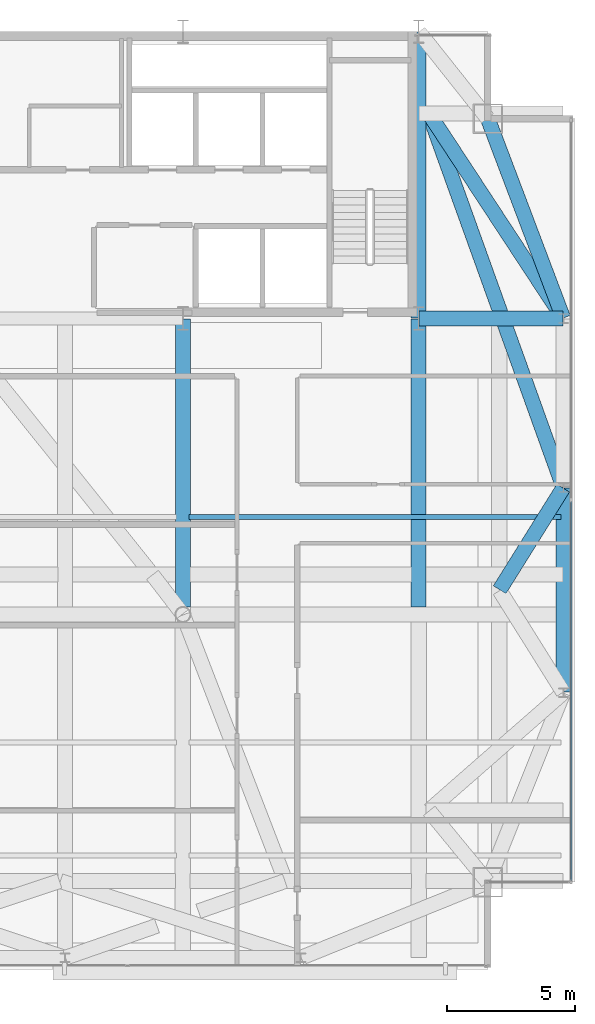
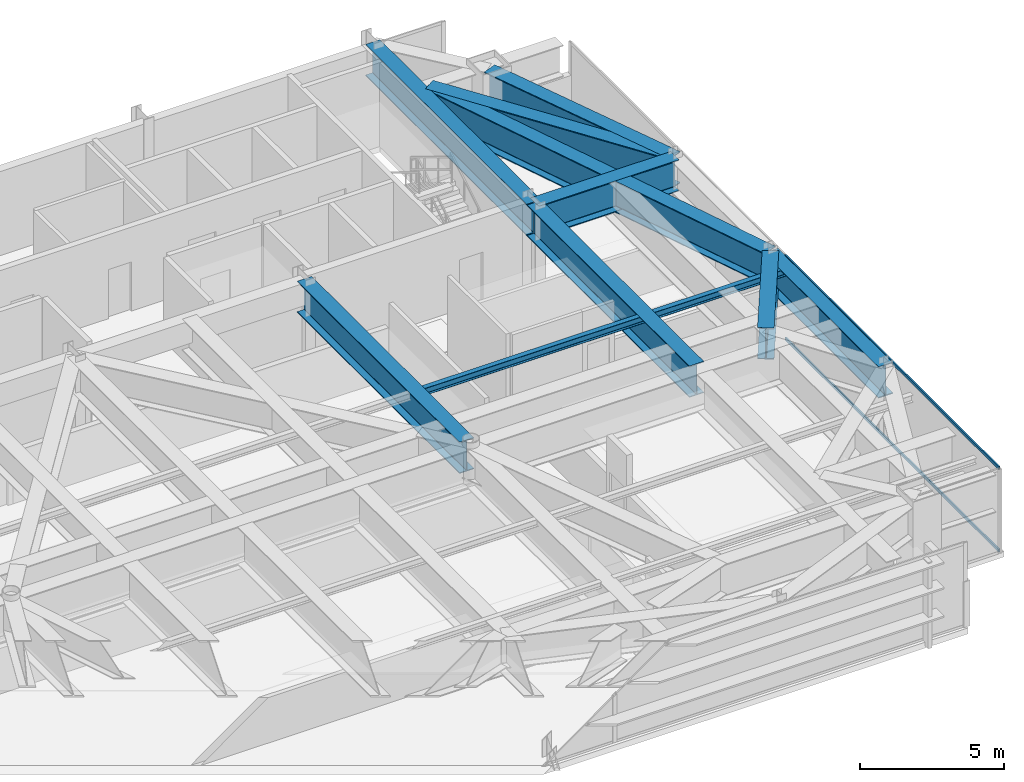
# One storey, part 15 of 23: 10 beams, 2 members, 1 element without a shape of its own.
"""IFC4 building model written with IfcOpenShell, lengths in metres."""

from ifc_helpers import new_model, si_unit, direction, frame, origin, origin_2d, place, context, subcontext, project, spatial, hollow_rectangle, i_section, extrude, source, transform, mapped, material, layer, layer_set, material_profile, profile_set, type_object, type_shapes, element, aggregate, save


model = new_model("IFC4")

# Units and contexts
model_context = context("Model", 3, precision=1e-05, world=origin(), true_north=direction((0.0, 1.0)))
body_context = subcontext(model_context, "Body", "Model", "MODEL_VIEW")
ifc_project = project(units=[si_unit("LENGTHUNIT", "METRE"), si_unit("AREAUNIT", "SQUARE_METRE"), si_unit("VOLUMEUNIT", "CUBIC_METRE"), si_unit("PLANEANGLEUNIT", "RADIAN"), si_unit("MASSUNIT", "GRAM", prefix="KILO")], contexts=[model_context])

# Site, building, storey
site_placement = place(None, origin())
site = spatial("IfcSite", under=ifc_project, at=site_placement, CompositionType="ELEMENT")
building_placement = place(site_placement, origin())
building = spatial("IfcBuilding", under=site, at=building_placement, Name="Varnel Quay Broadcast Tower", CompositionType="ELEMENT")
storey_placement = place(building_placement, frame((0.0, 0.0, 254.60009765625)))
storey = spatial("IfcBuildingStorey", under=building, at=storey_placement, Name="L63", CompositionType="ELEMENT", Elevation=254.60009765625)

# Beams
ifc_material_1 = material(Name="Structural Steel CSA G40.21 350WT", Category="steel")
ifc_material_profile_1 = material_profile(ifc_material_1, i_section(OverallWidth=0.580078125, OverallDepth=1.330078125, WebThickness=0.02197265625, FlangeThickness=0.0380859375, FilletRadius=0.02001953125, at=origin_2d()), Name="WWF1330X535")
ifc_profile_set_1 = profile_set([ifc_material_profile_1], Name="Structural Steel CSA G40.21 350WT")
beam_type_1 = type_object("IfcBeamType", Name="Girder_WWF1330X535", PredefinedType="BEAM", material=ifc_profile_set_1)
shared_shape_1 = source(origin(), body_context, "Body", "SweptSolid", [
    extrude(i_section(OverallWidth=0.580078125, OverallDepth=1.330078125, WebThickness=0.02197265625, FlangeThickness=0.0380859375, FilletRadius=0.02001953125, at=origin_2d()), origin(), (0.0, 0.0, 1.0), 11.159912109375),
])
beam_1_placement = place(storey_placement, frame((52.39990234375, 35.6201171875, 2.885009765625), z_axis=(0.0, 1.0, 0.0), x_axis=(-1.0, 0.0, 0.0)))
element("IfcBeam", 1, at=beam_1_placement, inside=storey, type_object=beam_type_1, Name="L63 East Core Spine", PredefinedType="BEAM", context=body_context, shape_type="MappedRepresentation", body=[
    mapped(shared_shape_1, transform((0.0, 0.0, 0.0), x_axis=(1.0, 0.0, 0.0), y_axis=(0.0, 1.0, 0.0), z_axis=(0.0, 0.0, 1.0), scale=1.0)),
])
shared_shape_2 = source(origin(), body_context, "Body", "SweptSolid", [
    extrude(i_section(OverallWidth=0.580078125, OverallDepth=1.330078125, WebThickness=0.02197265625, FlangeThickness=0.0380859375, FilletRadius=0.02001953125, at=origin_2d()), origin(), (0.0, 0.0, 1.0), 7.9599609375),
])
beam_2_placement = place(storey_placement, frame((58.050048828125, 21.02001953125, 2.885009765625), z_axis=(0.0, 1.0, 0.0), x_axis=(-1.0, 0.0, 0.0)))
element("IfcBeam", 2, at=beam_2_placement, inside=storey, type_object=beam_type_1, Name="L63 East Transfer Spine TC-E1-TC-E2", PredefinedType="BEAM", context=body_context, shape_type="MappedRepresentation", body=[
    mapped(shared_shape_2, transform((0.0, 0.0, 0.0), x_axis=(1.0, 0.0, 0.0), y_axis=(0.0, 1.0, 0.0), z_axis=(0.0, 0.0, 1.0), scale=1.0)),
])
shared_shape_3 = source(origin(), body_context, "Body", "SweptSolid", [
    extrude(i_section(OverallWidth=0.580078125, OverallDepth=1.330078125, WebThickness=0.02197265625, FlangeThickness=0.0380859375, FilletRadius=0.02001953125, at=origin_2d()), origin(), (0.0, 0.0, 1.0), 8.29931640625),
])
beam_3_placement = place(storey_placement, frame((58.04296875, 35.61865234375, 2.885009765625), z_axis=(-0.353739782058, 0.935343876117, 0.0), x_axis=(-0.935343876117, -0.353739782058, 0.0)))
element("IfcBeam", 3, at=beam_3_placement, inside=storey, type_object=beam_type_1, Name="L63 East Transfer Spine TC-E3-MC-NE", PredefinedType="BEAM", context=body_context, shape_type="MappedRepresentation", body=[
    mapped(shared_shape_3, transform((0.0, 0.0, 0.0), x_axis=(1.0, 0.0, 0.0), y_axis=(0.0, 1.0, 0.0), z_axis=(0.0, 0.0, 1.0), scale=1.0)),
])
shared_shape_4 = source(origin(), body_context, "Body", "SweptSolid", [
    extrude(i_section(OverallWidth=0.580078125, OverallDepth=1.330078125, WebThickness=0.02197265625, FlangeThickness=0.0380859375, FilletRadius=0.02001953125, at=origin_2d()), origin(), (0.0, 0.0, 1.0), 5.610107421875),
])
beam_4_placement = place(storey_placement, frame((52.419921875, 35.60009765625, 2.885009765625), z_axis=(1.0, 0.0, 0.0), x_axis=(0.0, 1.0, 0.0)))
element("IfcBeam", 4, at=beam_4_placement, inside=storey, type_object=beam_type_1, Name="L63 East Core Tie Transfer", PredefinedType="BEAM", context=body_context, shape_type="MappedRepresentation", body=[
    mapped(shared_shape_4, transform((0.0, 0.0, 0.0), x_axis=(1.0, 0.0, 0.0), y_axis=(0.0, 1.0, 0.0), z_axis=(0.0, 0.0, 1.0), scale=1.0)),
])
shared_shape_5 = source(origin(), body_context, "Body", "SweptSolid", [
    extrude(i_section(OverallWidth=0.580078125, OverallDepth=1.330078125, WebThickness=0.02197265625, FlangeThickness=0.0380859375, FilletRadius=0.02001953125, at=origin_2d()), origin(), (0.0, 0.0, 1.0), 11.2451171875),
])
for number, where, z_axis, x_axis, name in (
    (5, (43.199951171875, 24.3349609375, 2.885009765625), (0.0, 1.0, 0.0), (-1.0, 0.0, 0.0), "L63 N-S Transfer Girder 6B"),
    (6, (52.39990234375, 24.3349609375, 2.885009765625), (0.0, 1.0, 0.0), (-1.0, 0.0, 0.0), "L63 N-S Transfer Girder 7B"),
):
    element("IfcBeam", number, at=place(storey_placement, frame(where, z_axis=z_axis, x_axis=x_axis)), inside=storey, type_object=beam_type_1, Name=name, PredefinedType="BEAM", context=body_context, shape_type="MappedRepresentation", body=[
        mapped(shared_shape_5, transform((0.0, 0.0, 0.0), x_axis=(1.0, 0.0, 0.0), y_axis=(0.0, 1.0, 0.0), z_axis=(0.0, 0.0, 1.0), scale=1.0)),
    ])
shared_shape_6 = source(origin(), body_context, "Body", "SweptSolid", [
    extrude(i_section(OverallWidth=0.580078125, OverallDepth=1.330078125, WebThickness=0.02197265625, FlangeThickness=0.0380859375, FilletRadius=0.02001953125, at=origin_2d()), origin(), (0.0, 0.0, 1.0), 9.52880859375),
])
beam_5_placement = place(storey_placement, frame((58.0390625, 35.61669921875, 2.885009765625), z_axis=(-0.548654762547, 0.836049012639, 0.0), x_axis=(-0.836049012639, -0.548654762547, 0.0)))
element("IfcBeam", 7, at=beam_5_placement, inside=storey, type_object=beam_type_1, Name="L63 Nodal Transfer Tie MC-NE-TC-E3", PredefinedType="BEAM", context=body_context, shape_type="MappedRepresentation", body=[
    mapped(shared_shape_6, transform((0.0, 0.0, 0.0), x_axis=(1.0, 0.0, 0.0), y_axis=(0.0, 1.0, 0.0), z_axis=(0.0, 0.0, 1.0), scale=1.0)),
])
shared_shape_7 = source(origin(), body_context, "Body", "SweptSolid", [
    extrude(i_section(OverallWidth=0.580078125, OverallDepth=1.330078125, WebThickness=0.02197265625, FlangeThickness=0.0380859375, FilletRadius=0.02001953125, at=origin_2d()), origin(), (0.0, 0.0, 1.0), 15.475341796875),
])
beam_6_placement = place(storey_placement, frame((58.043212890625, 29.018798828125, 2.885009765625), z_axis=(-0.33836638095, 0.941014448477, 0.0), x_axis=(-0.941014448477, -0.33836638095, 0.0)))
element("IfcBeam", 8, at=beam_6_placement, inside=storey, type_object=beam_type_1, Name="L63 Nodal Transfer Tie MC-NE-TC-E2", PredefinedType="BEAM", context=body_context, shape_type="MappedRepresentation", body=[
    mapped(shared_shape_7, transform((0.0, 0.0, 0.0), x_axis=(1.0, 0.0, 0.0), y_axis=(0.0, 1.0, 0.0), z_axis=(0.0, 0.0, 1.0), scale=1.0)),
])
shared_shape_8 = source(origin(), body_context, "Body", "SweptSolid", [
    extrude(i_section(OverallWidth=0.580078125, OverallDepth=1.330078125, WebThickness=0.02197265625, FlangeThickness=0.0380859375, FilletRadius=0.02001953125, at=origin_2d()), origin(), (0.0, 0.0, 1.0), 4.6767578125),
])
type_shapes(beam_type_1, [shared_shape_1, shared_shape_2, shared_shape_3, shared_shape_4, shared_shape_5, shared_shape_6, shared_shape_7, shared_shape_8])
beam_7_placement = place(storey_placement, frame((58.039306640625, 28.98291015625, 2.885009765625), z_axis=(-0.530017709514, -0.847986572772, 0.0), x_axis=(0.847986572772, -0.530017709514, 0.0)))
element("IfcBeam", 9, at=beam_7_placement, inside=storey, type_object=beam_type_1, Name="L63 Nodal Transfer Tie TC-E1-TC-E2", PredefinedType="BEAM", context=body_context, shape_type="MappedRepresentation", body=[
    mapped(shared_shape_8, transform((0.0, 0.0, 0.0), x_axis=(1.0, 0.0, 0.0), y_axis=(0.0, 1.0, 0.0), z_axis=(0.0, 0.0, 1.0), scale=1.0)),
])
ifc_material_2 = material(Name="Structural Steel CSA G40.21 350W", Category="steel")
ifc_material_profile_2 = material_profile(ifc_material_2, i_section(OverallWidth=0.202880859375, OverallDepth=0.302978515625, WebThickness=0.007568359375, FlangeThickness=0.01318359375, FilletRadius=0.011962890625, at=origin_2d()), Name="W310X60")
ifc_profile_set_2 = profile_set([ifc_material_profile_2], Name="Structural Steel CSA G40.21 350W")
beam_type_2 = type_object("IfcBeamType", Name="Beam_W310X60", PredefinedType="JOIST", material=ifc_profile_set_2)
shared_shape_9 = source(origin(), body_context, "Body", "SweptSolid", [
    extrude(i_section(OverallWidth=0.202880859375, OverallDepth=0.302978515625, WebThickness=0.007568359375, FlangeThickness=0.01318359375, FilletRadius=0.011962890625, at=origin_2d()), origin(), (0.0, 0.0, 1.0), 14.50732421875),
])
type_shapes(beam_type_2, [shared_shape_9])
beam_8_placement = place(storey_placement, frame((43.445068359375, 27.85009765625, 3.3984375), z_axis=(1.0, 0.0, 0.0), x_axis=(0.0, 1.0, 0.0)))
element("IfcBeam", 10, at=beam_8_placement, inside=storey, type_object=beam_type_2, Name="L63 East Floor Joist 4", PredefinedType="JOIST", context=body_context, shape_type="MappedRepresentation", body=[
    mapped(shared_shape_9, transform((0.0, 0.0, 0.0), x_axis=(1.0, 0.0, 0.0), y_axis=(0.0, 1.0, 0.0), z_axis=(0.0, 0.0, 1.0), scale=1.0)),
])

# Curtain wall, members
ifc_material_3 = material(Name="Anodised Bronze Aluminium 6063-T6", Category="aluminium")
ifc_layer = layer(ifc_material_3, 0.18994140625, Name="Anodised Bronze Aluminium 6063-T6")
ifc_layer_set = layer_set([ifc_layer], Name="Anodised Bronze Aluminium 6063-T6")
curtain_wall_type = type_object("IfcCurtainWallType", Name="CW_UpperTower", PredefinedType="NOTDEFINED", material=ifc_layer_set)
curtain_wall_placement = place(storey_placement, origin())
curtain_wall = element("IfcCurtainWall", 11, at=curtain_wall_placement, inside=storey, type_object=curtain_wall_type, Name="L63 East Unitised Curtain Wall", PredefinedType="NOTDEFINED")
ifc_material_profile_3 = material_profile(ifc_material_3, hollow_rectangle(XDim=0.06005859375, YDim=0.125, WallThickness=0.0029296875, at=origin_2d()), Name="ALU60X125X3")
ifc_profile_set_3 = profile_set([ifc_material_profile_3], Name="Anodised Bronze Aluminium 6063-T6")
member_type = type_object("IfcMemberType", Name="Tran_CWS-03", PredefinedType="USERDEFINED", material=ifc_profile_set_3)
shared_shape_10 = source(origin(), body_context, "Body", "SweptSolid", [
    extrude(hollow_rectangle(XDim=0.06005859375, YDim=0.125, WallThickness=0.0029296875, at=origin_2d()), origin(), (0.0, 0.0, 1.0), 14.802490234375),
])
type_shapes(member_type, [shared_shape_10])
member_1_placement = place(storey_placement, frame((58.35009765625, 13.6650390625, 0.02978515625), z_axis=(0.0, 1.0, 0.0), x_axis=(-1.0, 0.0, 0.0)))
member_1 = element("IfcMember", 12, at=member_1_placement, type_object=member_type, Name="CWS-03 transom 1.1", ObjectType="TRANSOM", PredefinedType="USERDEFINED", context=body_context, shape_type="MappedRepresentation", body=[
    mapped(shared_shape_10, transform((0.0, 0.0, 0.0), x_axis=(1.0, 0.0, 0.0), y_axis=(0.0, 1.0, 0.0), z_axis=(0.0, 0.0, 1.0), scale=1.0)),
])
member_2_placement = place(storey_placement, frame((58.35009765625, 13.6650390625, 3.52001953125), z_axis=(0.0, 1.0, 0.0), x_axis=(-1.0, 0.0, 0.0)))
member_2 = element("IfcMember", 13, at=member_2_placement, type_object=member_type, Name="CWS-03 transom 1.2", ObjectType="TRANSOM", PredefinedType="USERDEFINED", context=body_context, shape_type="MappedRepresentation", body=[
    mapped(shared_shape_10, transform((0.0, 0.0, 0.0), x_axis=(1.0, 0.0, 0.0), y_axis=(0.0, 1.0, 0.0), z_axis=(0.0, 0.0, 1.0), scale=1.0)),
])
aggregate(curtain_wall, [member_1, member_2])

save(model, "model.ifc")
